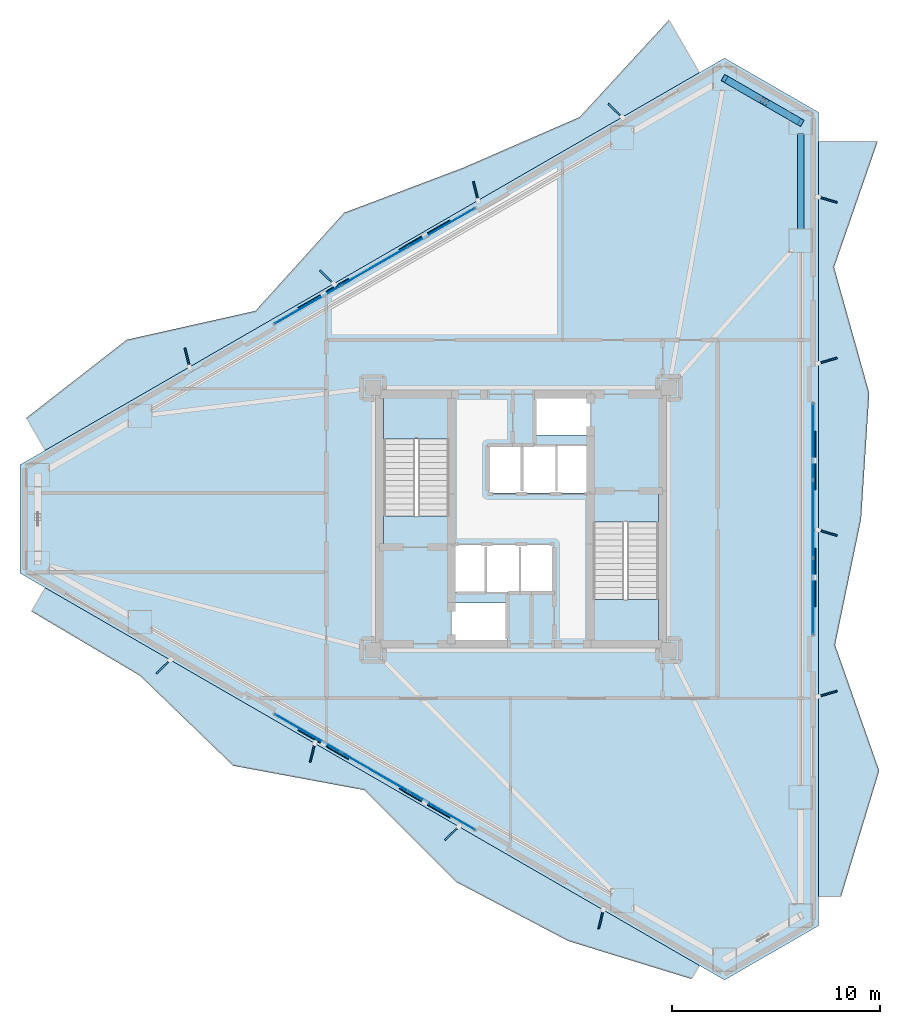
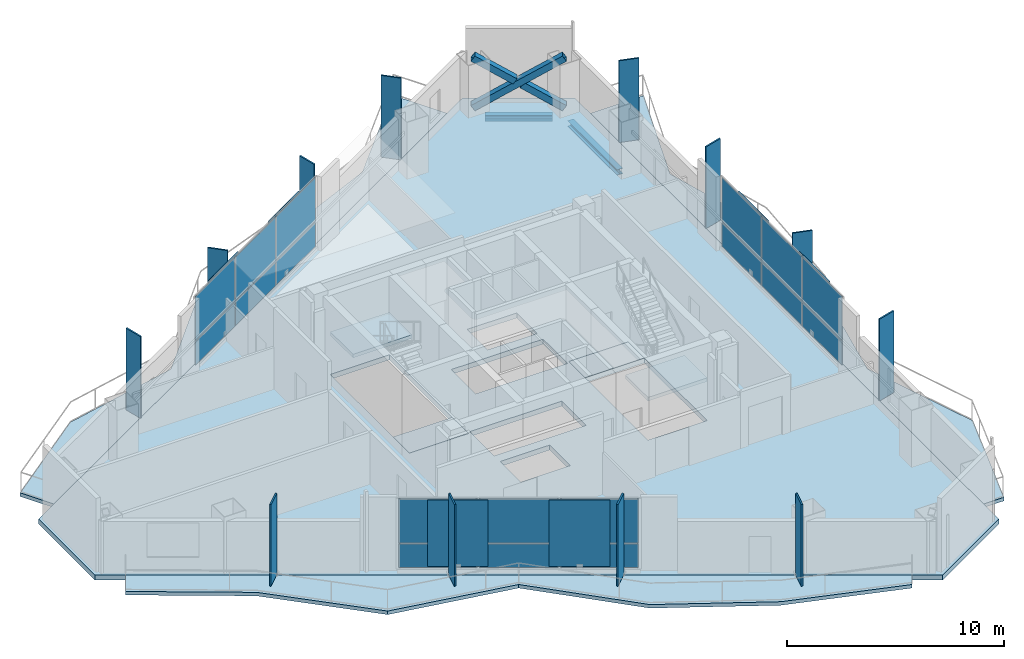
# One storey, part 13 of 20: 36 plates, 8 slabs, 3 members, 2 beams, 5 elements without a shape of their own.
"""IFC4 building model written with IfcOpenShell, lengths in metres."""

from ifc_helpers import new_model, si_unit, direction, frame, origin, origin_2d, place, context, subcontext, project, spatial, polyline, rectangle, hollow_rectangle, i_section, outline, extrude, material, layer, layer_set, material_profile, profile_set, type_object, element, aggregate, save


model = new_model("IFC4")

# Units and contexts
model_context = context("Model", 3, precision=1e-05, world=origin(), true_north=direction((0.0, 1.0)))
body_context = subcontext(model_context, "Body", "Model", "MODEL_VIEW")
ifc_project = project(units=[si_unit("LENGTHUNIT", "METRE"), si_unit("AREAUNIT", "SQUARE_METRE"), si_unit("VOLUMEUNIT", "CUBIC_METRE"), si_unit("PLANEANGLEUNIT", "RADIAN"), si_unit("MASSUNIT", "GRAM", prefix="KILO")], contexts=[model_context])

# Site, building, storey
site_placement = place(None, origin())
site = spatial("IfcSite", under=ifc_project, at=site_placement, CompositionType="ELEMENT")
building_placement = place(site_placement, origin())
building = spatial("IfcBuilding", under=site, at=building_placement, Name="Mersakhor Tower and Convention Hall", CompositionType="ELEMENT")
storey_placement = place(building_placement, frame((0.0, 0.0, 116.39990234375)))
storey = spatial("IfcBuildingStorey", under=building, at=storey_placement, Name="L32", CompositionType="ELEMENT", Elevation=116.39990234375)

# Beams
ifc_material_1 = material(Name="Steel S355", Category="steel")
ifc_material_profile_1 = material_profile(ifc_material_1, i_section(OverallWidth=0.30908203125, OverallDepth=0.320556640625, WebThickness=0.013916015625, FlangeThickness=0.021728515625, at=origin_2d()), Name="UC 305x305x137")
ifc_profile_set_1 = profile_set([ifc_material_profile_1], Name="Steel S355")
beam_type = type_object("IfcBeamType", Name="BM-SPD-UC305", PredefinedType="SPANDREL", material=ifc_profile_set_1)
beam_1_placement = place(storey_placement, frame((39.25927734375, 47.631103515625, -0.440185546875), z_axis=(0.866052319632, -0.499953377486, 0.0), x_axis=(0.499953377486, 0.866052319632, 0.0)))
element("IfcBeam", 1, at=beam_1_placement, inside=storey, type_object=beam_type, Name="L32 Perimeter Spandrel Beam SPB-04", PredefinedType="SPANDREL", context=body_context, shape_type="SweptSolid", body=[
    extrude(i_section(OverallWidth=0.30908203125, OverallDepth=0.320556640625, WebThickness=0.013916015625, FlangeThickness=0.021728515625, at=origin_2d()), origin(), (0.0, 0.0, 1.0), 3.111572265625),
])
beam_2_placement = place(storey_placement, frame((42.4345703125, 45.242919921875, -0.440185546875), z_axis=(0.0, -1.0, 0.0), x_axis=(1.0, 0.0, 0.0)))
element("IfcBeam", 2, at=beam_2_placement, inside=storey, type_object=beam_type, Name="L32 Perimeter Spandrel Beam SPB-05", PredefinedType="SPANDREL", context=body_context, shape_type="SweptSolid", body=[
    extrude(i_section(OverallWidth=0.30908203125, OverallDepth=0.320556640625, WebThickness=0.013916015625, FlangeThickness=0.021728515625, at=origin_2d()), origin(), (0.0, 0.0, 1.0), 4.566162109375),
])

# Members
ifc_material_2 = material(Name="Steel S460", Category="steel")
ifc_material_profile_2 = material_profile(ifc_material_2, hollow_rectangle(XDim=0.35009765625, YDim=0.35009765625, WallThickness=0.02001953125, at=origin_2d()), Name="SHS 350x350x20")
ifc_profile_set_2 = profile_set([ifc_material_profile_2], Name="Steel S460")
member_type = type_object("IfcMemberType", Name="MB-BRC-SHS350", PredefinedType="BRACE", material=ifc_profile_set_2)
member_placement = place(storey_placement, frame((38.77880859375, 47.90869140625, 0.150146484375), z_axis=(0.722483598076, -0.417114378614, 0.551391916576), x_axis=(0.49998946241, 0.866031487579, 0.0)))
element("IfcMember", 3, at=member_placement, inside=storey, type_object=member_type, Name="L32 Chamfer Braced Frame Diagonal CB-1A", PredefinedType="BRACE", context=body_context, shape_type="SweptSolid", body=[
    extrude(hollow_rectangle(XDim=0.35009765625, YDim=0.35009765625, WallThickness=0.02001953125, at=origin_2d()), origin(), (0.0, 0.0, 1.0), 5.06005859375),
])
for number, where, z_axis, x_axis, name in (
    (4, (42.4345703125, 45.798095703125, 0.150146484375), (-0.722471454176, 0.417148735281, 0.551381837346), (-0.500026652407, -0.866010015463, 0.0), "L32 Chamfer Braced Frame Diagonal CB-1B Lower Half"),
    (5, (40.46337890625, 46.93603515625, 1.654296875), (-0.72242974339, 0.417124651835, 0.551454704121), (-0.500026652407, -0.866010015463, 0.0), "L32 Chamfer Braced Frame Diagonal CB-1B Upper Half"),
):
    element("IfcMember", number, at=place(storey_placement, frame(where, z_axis=z_axis, x_axis=x_axis)), inside=storey, type_object=member_type, Name=name, PredefinedType="BRACE", context=body_context, shape_type="SweptSolid", body=[
        extrude(hollow_rectangle(XDim=0.35009765625, YDim=0.35009765625, WallThickness=0.02001953125, at=origin_2d()), origin(), (0.0, 0.0, 1.0), 2.331787109375),
    ])

# Curtain wall, plates
ifc_material_3 = material(Name="Dark solar low-E aluminium curtain wall", Category="aluminium")
ifc_layer_1 = layer(ifc_material_3, 0.199951171875)
ifc_layer_set_1 = layer_set([ifc_layer_1], Name="Dark solar low-E aluminium curtain wall")
curtain_wall_type = type_object("IfcCurtainWallType", Name="CW-SYS-05", PredefinedType="USERDEFINED", material=ifc_layer_set_1)
curtain_wall_1_placement = place(storey_placement, origin())
curtain_wall_1 = element("IfcCurtainWall", 6, at=curtain_wall_1_placement, inside=storey, type_object=curtain_wall_type, Name="L32 Dark-Glass Curtain Wall F1-B2", ObjectType="CURTAIN WALL", PredefinedType="USERDEFINED")
ifc_material_4 = material(Name="Dark solar double glazing", Category="glass")
ifc_layer_2 = layer(ifc_material_4, 0.035888671875)
ifc_layer_set_2 = layer_set([ifc_layer_2], Name="Dark solar double glazing")
plate_type_1 = type_object("IfcPlateType", Name="CWP-GLZ-36", PredefinedType="CURTAIN_PANEL", material=ifc_layer_set_2)
plate_1_placement = place(storey_placement, frame((18.75830078125, 37.042724609375, 0.260009765625), z_axis=(0.0, 0.0, 1.0), x_axis=(0.866026613339, 0.499997904985, 0.0)))
plate_1 = element("IfcPlate", 7, at=plate_1_placement, type_object=plate_type_1, Name="CW-05 panel 1.1", PredefinedType="CURTAIN_PANEL", context=body_context, shape_type="SweptSolid", body=[
    extrude(rectangle(XDim=3.623046875, YDim=0.035888671875, at=origin_2d()), origin(), (0.0, 0.0, 1.0), 1.330078125),
])
plate_2_placement = place(storey_placement, frame((18.75830078125, 37.042724609375, 1.64990234375), z_axis=(0.0, 0.0, 1.0), x_axis=(0.866026613339, 0.499997904985, 0.0)))
plate_2 = element("IfcPlate", 8, at=plate_2_placement, type_object=plate_type_1, Name="CW-05 panel 1.2", PredefinedType="CURTAIN_PANEL", context=body_context, shape_type="SweptSolid", body=[
    extrude(rectangle(XDim=3.623046875, YDim=0.035888671875, at=origin_2d()), origin(), (0.0, 0.0, 1.0), 2.469970703125),
])
plate_3_placement = place(storey_placement, frame((21.982666015625, 38.904296875, 0.260009765625), z_axis=(0.0, 0.0, 1.0), x_axis=(0.866026613339, 0.499997904985, 0.0)))
plate_3 = element("IfcPlate", 9, at=plate_3_placement, type_object=plate_type_1, Name="CW-05 panel 2.1", PredefinedType="CURTAIN_PANEL", context=body_context, shape_type="SweptSolid", body=[
    extrude(rectangle(XDim=3.6630859375, YDim=0.035888671875, at=origin_2d()), origin(), (0.0, 0.0, 1.0), 1.330078125),
])
plate_4_placement = place(storey_placement, frame((21.982666015625, 38.904296875, 1.64990234375), z_axis=(0.0, 0.0, 1.0), x_axis=(0.866026613339, 0.499997904985, 0.0)))
plate_4 = element("IfcPlate", 10, at=plate_4_placement, type_object=plate_type_1, Name="CW-05 panel 2.2", PredefinedType="CURTAIN_PANEL", context=body_context, shape_type="SweptSolid", body=[
    extrude(rectangle(XDim=3.6630859375, YDim=0.035888671875, at=origin_2d()), origin(), (0.0, 0.0, 1.0), 2.469970703125),
])
plate_5_placement = place(storey_placement, frame((25.20703125, 40.765869140625, 0.260009765625), z_axis=(0.0, 0.0, 1.0), x_axis=(0.866026613339, 0.499997904985, 0.0)))
plate_5 = element("IfcPlate", 11, at=plate_5_placement, type_object=plate_type_1, Name="CW-05 panel 3.1", PredefinedType="CURTAIN_PANEL", context=body_context, shape_type="SweptSolid", body=[
    extrude(rectangle(XDim=3.623046875, YDim=0.035888671875, at=origin_2d()), origin(), (0.0, 0.0, 1.0), 1.330078125),
])
plate_6_placement = place(storey_placement, frame((25.20703125, 40.765869140625, 1.64990234375), z_axis=(0.0, 0.0, 1.0), x_axis=(0.866026613339, 0.499997904985, 0.0)))
plate_6 = element("IfcPlate", 12, at=plate_6_placement, type_object=plate_type_1, Name="CW-05 panel 3.2", PredefinedType="CURTAIN_PANEL", context=body_context, shape_type="SweptSolid", body=[
    extrude(rectangle(XDim=3.623046875, YDim=0.035888671875, at=origin_2d()), origin(), (0.0, 0.0, 1.0), 2.469970703125),
])
aggregate(curtain_wall_1, [plate_1, plate_2, plate_3, plate_4, plate_5, plate_6])

curtain_wall_2_placement = place(storey_placement, origin())
curtain_wall_2 = element("IfcCurtainWall", 13, at=curtain_wall_2_placement, inside=storey, type_object=curtain_wall_type, Name="L32 Dark-Glass Curtain Wall F2-B2", ObjectType="CURTAIN WALL", PredefinedType="USERDEFINED")
plate_7_placement = place(storey_placement, frame((43.03466796875, 30.47314453125, 0.260009765625), z_axis=(0.0, 0.0, 1.0), x_axis=(0.0, -1.0, 0.0)))
plate_7 = element("IfcPlate", 14, at=plate_7_placement, type_object=plate_type_1, Name="CW-05 panel 1.1", PredefinedType="CURTAIN_PANEL", context=body_context, shape_type="SweptSolid", body=[
    extrude(rectangle(XDim=3.623291015625, YDim=0.035888671875, at=origin_2d()), origin(), (0.0, 0.0, 1.0), 1.330078125),
])
plate_8_placement = place(storey_placement, frame((43.03466796875, 30.47314453125, 1.64990234375), z_axis=(0.0, 0.0, 1.0), x_axis=(0.0, -1.0, 0.0)))
plate_8 = element("IfcPlate", 15, at=plate_8_placement, type_object=plate_type_1, Name="CW-05 panel 1.2", PredefinedType="CURTAIN_PANEL", context=body_context, shape_type="SweptSolid", body=[
    extrude(rectangle(XDim=3.623291015625, YDim=0.035888671875, at=origin_2d()), origin(), (0.0, 0.0, 1.0), 2.469970703125),
])
plate_9_placement = place(storey_placement, frame((43.03466796875, 26.75, 0.260009765625), z_axis=(0.0, 0.0, 1.0), x_axis=(0.0, -1.0, 0.0)))
plate_9 = element("IfcPlate", 16, at=plate_9_placement, type_object=plate_type_1, Name="CW-05 panel 2.1", PredefinedType="CURTAIN_PANEL", context=body_context, shape_type="SweptSolid", body=[
    extrude(rectangle(XDim=3.6630859375, YDim=0.035888671875, at=origin_2d()), origin(), (0.0, 0.0, 1.0), 1.330078125),
])
plate_10_placement = place(storey_placement, frame((43.03466796875, 26.75, 1.64990234375), z_axis=(0.0, 0.0, 1.0), x_axis=(0.0, -1.0, 0.0)))
plate_10 = element("IfcPlate", 17, at=plate_10_placement, type_object=plate_type_1, Name="CW-05 panel 2.2", PredefinedType="CURTAIN_PANEL", context=body_context, shape_type="SweptSolid", body=[
    extrude(rectangle(XDim=3.6630859375, YDim=0.035888671875, at=origin_2d()), origin(), (0.0, 0.0, 1.0), 2.469970703125),
])
plate_11_placement = place(storey_placement, frame((43.03466796875, 23.02685546875, 0.260009765625), z_axis=(0.0, 0.0, 1.0), x_axis=(0.0, -1.0, 0.0)))
plate_11 = element("IfcPlate", 18, at=plate_11_placement, type_object=plate_type_1, Name="CW-05 panel 3.1", PredefinedType="CURTAIN_PANEL", context=body_context, shape_type="SweptSolid", body=[
    extrude(rectangle(XDim=3.623291015625, YDim=0.035888671875, at=origin_2d()), origin(), (0.0, 0.0, 1.0), 1.330078125),
])
plate_12_placement = place(storey_placement, frame((43.03466796875, 23.02685546875, 1.64990234375), z_axis=(0.0, 0.0, 1.0), x_axis=(0.0, -1.0, 0.0)))
plate_12 = element("IfcPlate", 19, at=plate_12_placement, type_object=plate_type_1, Name="CW-05 panel 3.2", PredefinedType="CURTAIN_PANEL", context=body_context, shape_type="SweptSolid", body=[
    extrude(rectangle(XDim=3.623291015625, YDim=0.035888671875, at=origin_2d()), origin(), (0.0, 0.0, 1.0), 2.469970703125),
])
aggregate(curtain_wall_2, [plate_7, plate_8, plate_9, plate_10, plate_11, plate_12])

curtain_wall_3_placement = place(storey_placement, origin())
curtain_wall_3 = element("IfcCurtainWall", 20, at=curtain_wall_3_placement, inside=storey, type_object=curtain_wall_type, Name="L32 Dark-Glass Curtain Wall F3-B2", ObjectType="CURTAIN WALL", PredefinedType="USERDEFINED")
plate_13_placement = place(storey_placement, frame((25.20703125, 12.734130859375, 0.260009765625), z_axis=(0.0, 0.0, 1.0), x_axis=(-0.866026613339, 0.499997904985, 0.0)))
plate_13 = element("IfcPlate", 21, at=plate_13_placement, type_object=plate_type_1, Name="CW-05 panel 1.1", PredefinedType="CURTAIN_PANEL", context=body_context, shape_type="SweptSolid", body=[
    extrude(rectangle(XDim=3.623046875, YDim=0.035888671875, at=origin_2d()), origin(), (0.0, 0.0, 1.0), 1.330078125),
])
plate_14_placement = place(storey_placement, frame((25.20703125, 12.734130859375, 1.64990234375), z_axis=(0.0, 0.0, 1.0), x_axis=(-0.866026613339, 0.499997904985, 0.0)))
plate_14 = element("IfcPlate", 22, at=plate_14_placement, type_object=plate_type_1, Name="CW-05 panel 1.2", PredefinedType="CURTAIN_PANEL", context=body_context, shape_type="SweptSolid", body=[
    extrude(rectangle(XDim=3.623046875, YDim=0.035888671875, at=origin_2d()), origin(), (0.0, 0.0, 1.0), 2.469970703125),
])
plate_15_placement = place(storey_placement, frame((21.982666015625, 14.595703125, 0.260009765625), z_axis=(0.0, 0.0, 1.0), x_axis=(-0.866026613339, 0.499997904985, 0.0)))
plate_15 = element("IfcPlate", 23, at=plate_15_placement, type_object=plate_type_1, Name="CW-05 panel 2.1", PredefinedType="CURTAIN_PANEL", context=body_context, shape_type="SweptSolid", body=[
    extrude(rectangle(XDim=3.6630859375, YDim=0.035888671875, at=origin_2d()), origin(), (0.0, 0.0, 1.0), 1.330078125),
])
plate_16_placement = place(storey_placement, frame((21.982666015625, 14.595703125, 1.64990234375), z_axis=(0.0, 0.0, 1.0), x_axis=(-0.866026613339, 0.499997904985, 0.0)))
plate_16 = element("IfcPlate", 24, at=plate_16_placement, type_object=plate_type_1, Name="CW-05 panel 2.2", PredefinedType="CURTAIN_PANEL", context=body_context, shape_type="SweptSolid", body=[
    extrude(rectangle(XDim=3.6630859375, YDim=0.035888671875, at=origin_2d()), origin(), (0.0, 0.0, 1.0), 2.469970703125),
])
plate_17_placement = place(storey_placement, frame((18.75830078125, 16.457275390625, 0.260009765625), z_axis=(0.0, 0.0, 1.0), x_axis=(-0.866026613339, 0.499997904985, 0.0)))
plate_17 = element("IfcPlate", 25, at=plate_17_placement, type_object=plate_type_1, Name="CW-05 panel 3.1", PredefinedType="CURTAIN_PANEL", context=body_context, shape_type="SweptSolid", body=[
    extrude(rectangle(XDim=3.623046875, YDim=0.035888671875, at=origin_2d()), origin(), (0.0, 0.0, 1.0), 1.330078125),
])
plate_18_placement = place(storey_placement, frame((18.75830078125, 16.457275390625, 1.64990234375), z_axis=(0.0, 0.0, 1.0), x_axis=(-0.866026613339, 0.499997904985, 0.0)))
plate_18 = element("IfcPlate", 26, at=plate_18_placement, type_object=plate_type_1, Name="CW-05 panel 3.2", PredefinedType="CURTAIN_PANEL", context=body_context, shape_type="SweptSolid", body=[
    extrude(rectangle(XDim=3.623046875, YDim=0.035888671875, at=origin_2d()), origin(), (0.0, 0.0, 1.0), 2.469970703125),
])
aggregate(curtain_wall_3, [plate_13, plate_14, plate_15, plate_16, plate_17, plate_18])

# Plates
ifc_material_5 = material(Name="Ceramic-clad aluminium Zone 2 emerald-teal", Category="aluminium")
ifc_material_6 = material(Name="Ceramic-clad aluminium Zone 1 cobalt-slate", Category="masonry")
ifc_layer_3 = layer(ifc_material_6, 0.080078125)
ifc_layer_set_3 = layer_set([ifc_layer_3], Name="Ceramic-clad aluminium Zone 1 cobalt-slate")
plate_type_2 = type_object("IfcPlateType", Name="PL-FIN-80", PredefinedType="USERDEFINED", material=ifc_layer_set_3)
for number, where, z_axis, x_axis, name in (
    (27, (12.972412109375, 34.4951171875, 0.0), (0.0, 0.0, 1.0), (-0.2419218956, 0.970295726276, 0.0), "L32 Zone 2 Coloured Brise-Soleil Fin F1-1"),
    (28, (19.673828125, 38.364013671875, 0.0), (0.0, 0.0, 1.0), (-0.719339800339, 0.694658370459, 0.0), "L32 Zone 2 Coloured Brise-Soleil Fin F1-2"),
    (29, (26.828857421875, 42.4951171875, 0.0), (0.0, 0.0, 1.0), (-0.2419218956, 0.970295726276, 0.0), "L32 Zone 2 Coloured Brise-Soleil Fin F1-3"),
    (30, (33.5302734375, 46.364013671875, 0.0), (0.0, 0.0, 1.0), (-0.719339800339, 0.694658370459, 0.0), "L32 Zone 2 Coloured Brise-Soleil Fin F1-4"),
    (31, (43.72119140625, 42.091064453125, 0.0), (0.0, 0.0, 1.0), (0.961261695938, -0.275637355817, 0.0), "L32 Zone 2 Coloured Brise-Soleil Fin F2-1"),
    (32, (43.72119140625, 34.35302734375, 0.0), (0.0, 0.0, 1.0), (0.961261695938, 0.275637355817, 0.0), "L32 Zone 2 Coloured Brise-Soleil Fin F2-2"),
    (33, (43.72119140625, 26.091064453125, 0.0), (0.0, 0.0, 1.0), (0.961261695938, -0.275637355817, 0.0), "L32 Zone 2 Coloured Brise-Soleil Fin F2-3"),
    (34, (43.72119140625, 18.35302734375, 0.0), (0.0, 0.0, 1.0), (0.961261695938, 0.275637355817, 0.0), "L32 Zone 2 Coloured Brise-Soleil Fin F2-4"),
    (35, (32.842529296875, 7.532958984375, 0.0), (0.0, 0.0, 1.0), (-0.2419218956, -0.970295726276, 0.0), "L32 Zone 2 Coloured Brise-Soleil Fin F3-1"),
    (36, (25.6875, 11.663818359375, 0.0), (0.0, 0.0, 1.0), (-0.719339800339, -0.694658370459, 0.0), "L32 Zone 2 Coloured Brise-Soleil Fin F3-2"),
    (37, (18.986083984375, 15.532958984375, 0.0), (0.0, 0.0, 1.0), (-0.2419218956, -0.970295726276, 0.0), "L32 Zone 2 Coloured Brise-Soleil Fin F3-3"),
    (38, (11.831298828125, 19.663818359375, 0.0), (0.0, 0.0, 1.0), (-0.719339800339, -0.694658370459, 0.0), "L32 Zone 2 Coloured Brise-Soleil Fin F3-4"),
):
    element("IfcPlate", number, at=place(storey_placement, frame(where, z_axis=z_axis, x_axis=x_axis)), inside=storey, type_object=plate_type_2, material=ifc_material_5, Name=name, ObjectType="FIN", PredefinedType="USERDEFINED", context=body_context, shape_type="SweptSolid", body=[
        extrude(rectangle(XDim=0.949951171875, YDim=0.080078125, at=origin_2d()), origin(), (0.0, 0.0, 1.0), 4.60009765625),
    ])
ifc_material_7 = material(Name="Perforated ceramic cobogo solar screen", Category="aluminium")
ifc_layer_4 = layer(ifc_material_7, 0.048095703125)
ifc_layer_set_4 = layer_set([ifc_layer_4], Name="Perforated ceramic cobogo solar screen")
plate_type_3 = type_object("IfcPlateType", Name="PL-SCR-48", PredefinedType="USERDEFINED", material=ifc_layer_set_4)
for number, where, z_axis, x_axis, name in (
    (39, (19.50439453125, 37.58203125, 0.400146484375), (0.0, 0.0, 1.0), (0.866025403784, 0.5, 0.0), "L32 Perforated Ceramic Solar Screen F1-1"),
    (40, (24.366943359375, 40.389404296875, 0.400146484375), (0.0, 0.0, 1.0), (0.866025403784, 0.5, 0.0), "L32 Perforated Ceramic Solar Screen F1-2"),
    (41, (43.128662109375, 29.557373046875, 0.400146484375), (0.0, 0.0, 1.0), (0.0, -1.0, 0.0), "L32 Perforated Ceramic Solar Screen F2-1"),
    (42, (43.128662109375, 23.942626953125, 0.400146484375), (0.0, 0.0, 1.0), (0.0, -1.0, 0.0), "L32 Perforated Ceramic Solar Screen F2-2"),
    (43, (24.366943359375, 13.110595703125, 0.400146484375), (0.0, 0.0, 1.0), (-0.866025403784, 0.5, 0.0), "L32 Perforated Ceramic Solar Screen F3-1"),
    (44, (19.50439453125, 15.91796875, 0.400146484375), (0.0, 0.0, 1.0), (-0.866025403784, 0.5, 0.0), "L32 Perforated Ceramic Solar Screen F3-2"),
):
    element("IfcPlate", number, at=place(storey_placement, frame(where, z_axis=z_axis, x_axis=x_axis)), inside=storey, type_object=plate_type_3, Name=name, ObjectType="SCREEN", PredefinedType="USERDEFINED", context=body_context, shape_type="SweptSolid", body=[
        extrude(rectangle(XDim=2.800048828125, YDim=0.048095703125, at=origin_2d()), origin(), (0.0, 0.0, 1.0), 3.72998046875),
    ])

# Slabs
ifc_material_8 = material(Name="Concrete C45/55", Category="concrete")
ifc_layer_5 = layer(ifc_material_8, 0.199951171875)
ifc_layer_set_5 = layer_set([ifc_layer_5], Name="Concrete C45/55")
slab_type_1 = type_object("IfcSlabType", Name="SL-BAL-200", PredefinedType="FLOOR", material=ifc_layer_set_5)
slab_1_placement = place(storey_placement, frame((0.0, 0.0, -0.199951171875)))
element("IfcSlab", 45, at=slab_1_placement, inside=storey, type_object=slab_type_1, Name="L32 Sinusoidal Balcony Slab Face 1", PredefinedType="FLOOR", context=body_context, shape_type="SweptSolid", body=[
    extrude(outline(polyline([(6.149169921875, 30.051513671875), (37.56640625, 48.190185546875), (36.106201171875, 50.718994140625), (31.8173828125, 46.05517578125), (26.23779296875, 43.626708984375), (20.507080078125, 41.4599609375), (16.24658203125, 36.747314453125), (10.0654296875, 35.36083984375), (5.2490234375, 31.6103515625), (6.149169921875, 30.051513671875)])), origin(), (0.0, 0.0, 1.0), 0.199951171875),
])
slab_2_placement = place(storey_placement, frame((0.0, 0.0, -0.199951171875)))
element("IfcSlab", 46, at=slab_2_placement, inside=storey, type_object=slab_type_1, Name="L32 Sinusoidal Balcony Slab Face 2", PredefinedType="FLOOR", context=body_context, shape_type="SweptSolid", body=[
    extrude(outline(polyline([(43.28466796875, 44.888671875), (43.28466796875, 8.611328125), (44.369384765625, 8.611328125), (46.20458984375, 14.657470703125), (44.08349609375, 20.703857421875), (45.333740234375, 26.75), (45.727294921875, 32.796142578125), (44.03466796875, 38.842529296875), (46.132568359375, 44.888671875), (43.28466796875, 44.888671875)])), origin(), (0.0, 0.0, 1.0), 0.199951171875),
])
slab_3_placement = place(storey_placement, frame((0.0, 0.0, -0.199951171875)))
element("IfcSlab", 47, at=slab_3_placement, inside=storey, type_object=slab_type_1, Name="L32 Sinusoidal Balcony Slab Face 3", PredefinedType="FLOOR", context=body_context, shape_type="SweptSolid", body=[
    extrude(outline(polyline([(37.56640625, 5.309814453125), (6.149169921875, 23.448486328125), (5.492919921875, 22.311767578125), (10.694091796875, 19.228515625), (15.177001953125, 14.900390625), (21.482666015625, 13.7294921875), (25.91064453125, 9.306396484375), (31.262939453125, 6.484619140625), (37.190185546875, 4.658447265625), (37.56640625, 5.309814453125)])), origin(), (0.0, 0.0, 1.0), 0.199951171875),
])
ifc_material_9 = material(Name="Concrete C45/55", Category="concrete")
ifc_layer_6 = layer(ifc_material_9, 0.280029296875)
ifc_layer_set_6 = layer_set([ifc_layer_6], Name="Concrete C45/55")
slab_type_2 = type_object("IfcSlabType", Name="SL-FLR-280", PredefinedType="FLOOR", material=ifc_layer_set_6)
slab_4_placement = place(storey_placement, frame((0.0, 0.0, -0.27978515625)))
element("IfcSlab", 48, at=slab_4_placement, inside=storey, type_object=slab_type_2, Name="L32 ST-1 Structural Stair Floor Landing", PredefinedType="LANDING", context=body_context, shape_type="SweptSolid", body=[
    extrude(outline(polyline([(25.550048828125, 25.39990234375), (25.550048828125, 26.89990234375), (22.39990234375, 26.89990234375), (22.39990234375, 25.39990234375), (25.550048828125, 25.39990234375)])), origin(), (0.0, 0.0, 1.0), 0.27978515625),
])
slab_5_placement = place(storey_placement, frame((0.0, 0.0, -0.27978515625)))
element("IfcSlab", 49, at=slab_5_placement, inside=storey, type_object=slab_type_2, Name="L32 ST-2 Structural Stair Floor Landing", PredefinedType="LANDING", context=body_context, shape_type="SweptSolid", body=[
    extrude(outline(polyline([(32.449951171875, 28.10009765625), (32.449951171875, 26.60009765625), (35.60009765625, 26.60009765625), (35.60009765625, 28.10009765625), (32.449951171875, 28.10009765625)])), origin(), (0.0, 0.0, 1.0), 0.27978515625),
])
slab_6_placement = place(storey_placement, frame((0.0, 0.0, -0.27978515625)))
element("IfcSlab", 50, at=slab_6_placement, inside=storey, type_object=slab_type_2, Name="Tower L32 Structural Floor Slab", PredefinedType="FLOOR", context=body_context, shape_type="SweptSolid", body=[
    extrude(outline(polyline([(4.936767578125, 29.3515625), (38.77880859375, 48.89013671875), (43.28466796875, 46.288818359375), (43.28466796875, 7.211181640625), (38.77880859375, 4.60986328125), (4.936767578125, 24.1484375), (4.936767578125, 29.3515625)]), holes=[polyline([(25.550048828125, 25.39990234375), (25.550048828125, 32.699951171875), (22.39990234375, 32.699951171875), (22.39990234375, 25.39990234375), (25.550048828125, 25.39990234375)]), polyline([(32.449951171875, 28.10009765625), (32.449951171875, 20.800048828125), (35.60009765625, 20.800048828125), (35.60009765625, 28.10009765625), (32.449951171875, 28.10009765625)]), polyline([(25.679931640625, 20.820068359375), (25.679931640625, 22.719970703125), (28.320068359375, 22.719970703125), (28.320068359375, 20.820068359375), (25.679931640625, 20.820068359375)]), polyline([(29.679931640625, 30.780029296875), (29.679931640625, 32.679931640625), (32.320068359375, 32.679931640625), (32.320068359375, 30.780029296875), (29.679931640625, 30.780029296875)]), polyline([(25.679931640625, 23.25), (25.679931640625, 25.5), (30.570068359375, 25.5), (30.570068359375, 23.25), (25.679931640625, 23.25)]), polyline([(27.429931640625, 28.0), (27.429931640625, 30.25), (32.320068359375, 30.25), (32.320068359375, 28.0), (27.429931640625, 28.0)])]), origin(), (0.0, 0.0, 1.0), 0.27978515625),
])

# Stair, slab
ifc_material_10 = material(Name="Concrete C45/55", Category="concrete")
stair_type = type_object("IfcStairType", Name="ST-TWR-28R", PredefinedType="HALF_TURN_STAIR", material=ifc_material_10)
stair_1_placement = place(storey_placement, origin())
stair_1 = element("IfcStair", 51, at=stair_1_placement, inside=storey, type_object=stair_type, Name="L32 Tower Protected Exit Stair ST-1", PredefinedType="HALF_TURN_STAIR")
ifc_material_11 = material(Name="Concrete C45/55", Category="concrete")
ifc_layer_7 = layer(ifc_material_11, 0.199951171875)
ifc_layer_set_7 = layer_set([ifc_layer_7], Name="Concrete C45/55")
slab_type_3 = type_object("IfcSlabType", Name="SL-LAND-200", PredefinedType="LANDING", material=ifc_layer_set_7)
slab_7_placement = place(storey_placement, frame((0.0, 0.0, 2.2001953125)))
slab_7 = element("IfcSlab", 52, at=slab_7_placement, type_object=slab_type_3, Name="ST-1 landing 1", PredefinedType="LANDING", context=body_context, shape_type="SweptSolid", body=[
    extrude(outline(polyline([(25.550048828125, 30.60498046875), (25.550048828125, 32.699951171875), (22.39990234375, 32.699951171875), (22.39990234375, 30.60498046875), (25.550048828125, 30.60498046875)])), origin(), (0.0, 0.0, 1.0), 0.199951171875),
])
aggregate(stair_1, [slab_7])

stair_2_placement = place(storey_placement, origin())
stair_2 = element("IfcStair", 53, at=stair_2_placement, inside=storey, type_object=stair_type, Name="L32 Tower Protected Exit Stair ST-2", PredefinedType="HALF_TURN_STAIR")
slab_8_placement = place(storey_placement, frame((0.0, 0.0, 2.2001953125)))
slab_8 = element("IfcSlab", 54, at=slab_8_placement, type_object=slab_type_3, Name="ST-2 landing 1", PredefinedType="LANDING", context=body_context, shape_type="SweptSolid", body=[
    extrude(outline(polyline([(32.449951171875, 22.89501953125), (32.449951171875, 20.800048828125), (35.60009765625, 20.800048828125), (35.60009765625, 22.89501953125), (32.449951171875, 22.89501953125)])), origin(), (0.0, 0.0, 1.0), 0.199951171875),
])
aggregate(stair_2, [slab_8])

save(model, "model.ifc")
